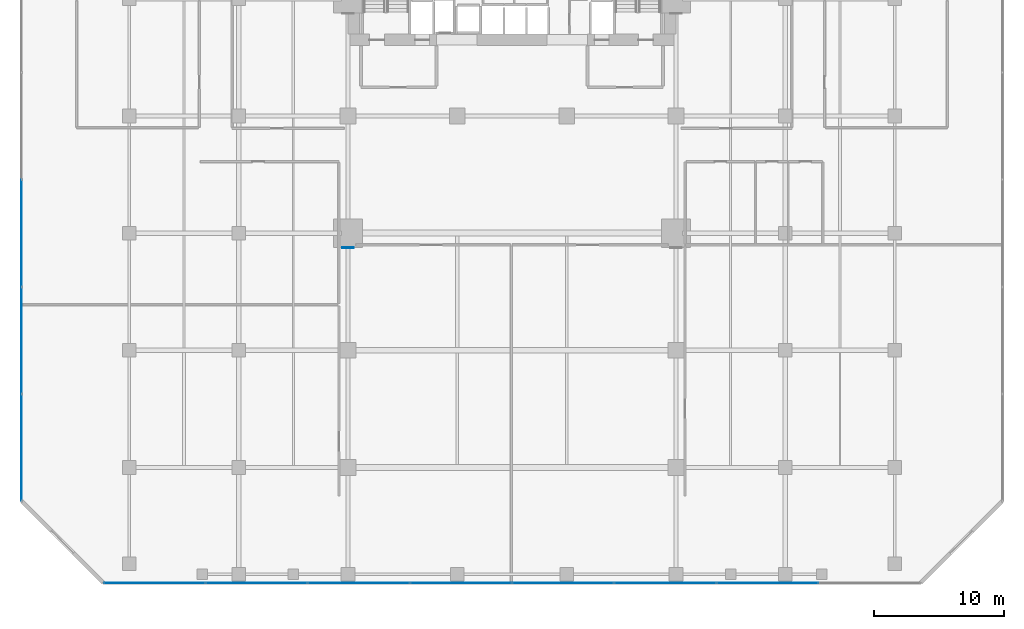
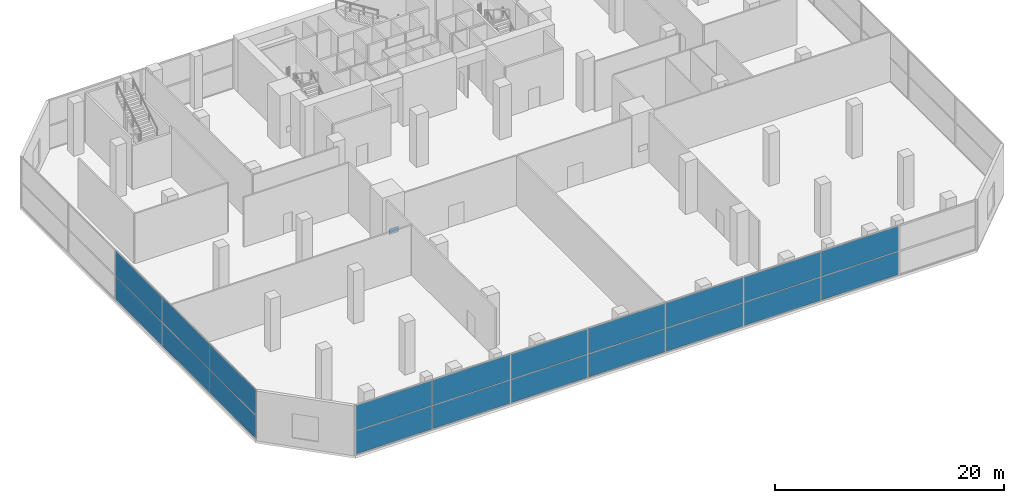
# One storey, part 31 of 40: 21 plates, 2 elements without a shape of their own.
"""IFC4 building model written with IfcOpenShell, lengths in metres."""

from ifc_helpers import new_model, si_unit, direction, frame, origin, origin_2d, place, context, subcontext, project, spatial, rectangle, extrude, material, layer, layer_set, type_object, element, aggregate, save


model = new_model("IFC4")

# Units and contexts
model_context = context("Model", 3, precision=1e-05, world=origin(), true_north=direction((0.0, 1.0)))
body_context = subcontext(model_context, "Body", "Model", "MODEL_VIEW")
ifc_project = project(units=[si_unit("LENGTHUNIT", "METRE"), si_unit("AREAUNIT", "SQUARE_METRE"), si_unit("VOLUMEUNIT", "CUBIC_METRE"), si_unit("PLANEANGLEUNIT", "RADIAN"), si_unit("MASSUNIT", "GRAM", prefix="KILO")], contexts=[model_context])

# Site, building, storey
site_placement = place(None, origin())
site = spatial("IfcSite", under=ifc_project, at=site_placement, CompositionType="ELEMENT")
building_placement = place(site_placement, origin())
building = spatial("IfcBuilding", under=site, at=building_placement, Name="Maruvema Waterfront Hotel and Observation Tower", CompositionType="ELEMENT")
storey_placement = place(building_placement, frame((0.0, 0.0, 10.85009765625)))
storey = spatial("IfcBuildingStorey", under=building, at=storey_placement, Name="L02", CompositionType="ELEMENT", Elevation=10.85009765625)

# Curtain wall, plates
ifc_material_1 = material(Name="Anodised bronze aluminium and solar-control low-E IGU", Category="aluminium")
ifc_layer_1 = layer(ifc_material_1, 0.159912109375, Name="Podium Waterfront Storefront Curtain Wall System CW-01")
ifc_layer_set_1 = layer_set([ifc_layer_1], Name="Anodised bronze aluminium and solar-control low-E IGU")
curtain_wall_type = type_object("IfcCurtainWallType", Name="Podium Waterfront Storefront Curtain Wall System CW-01", PredefinedType="USERDEFINED", material=ifc_layer_set_1)
curtain_wall_1_placement = place(storey_placement, origin())
curtain_wall_1 = element("IfcCurtainWall", 1, at=curtain_wall_1_placement, inside=storey, type_object=curtain_wall_type, Name="L02 Curtain Wall CW-L02-S", ObjectType="UNITISED CURTAIN WALL", PredefinedType="USERDEFINED")
ifc_material_2 = material(Name="Laminated low-E solar-control double glazing", Category="glass")
ifc_layer_2 = layer(ifc_material_2, 0.035888671875, Name="Solar Control Double-Glazed Curtain Panel 36 mm")
ifc_layer_set_2 = layer_set([ifc_layer_2], Name="Laminated low-E solar-control double glazing")
plate_type_1 = type_object("IfcPlateType", Name="Solar Control Double-Glazed Curtain Panel 36 mm", PredefinedType="CURTAIN_PANEL", material=ifc_layer_set_2)
plate_1_placement = place(storey_placement, frame((10.340087890625, 0.1201171875, 0.059814453125), z_axis=(0.0, 0.0, 1.0), x_axis=(1.0, 0.0, 0.0)))
plate_1 = element("IfcPlate", 2, at=plate_1_placement, type_object=plate_type_1, Name="CW-01 panel 1.1", PredefinedType="CURTAIN_PANEL", context=body_context, shape_type="SweptSolid", body=[
    extrude(rectangle(XDim=7.760009765625, YDim=0.028076171875, at=origin_2d()), origin(), (0.0, 0.0, 1.0), 2.4599609375),
])
plate_2_placement = place(storey_placement, frame((10.340087890625, 0.1201171875, 2.580078125), z_axis=(0.0, 0.0, 1.0), x_axis=(1.0, 0.0, 0.0)))
plate_2 = element("IfcPlate", 3, at=plate_2_placement, type_object=plate_type_1, Name="CW-01 panel 1.2", PredefinedType="CURTAIN_PANEL", context=body_context, shape_type="SweptSolid", body=[
    extrude(rectangle(XDim=7.760009765625, YDim=0.028076171875, at=origin_2d()), origin(), (0.0, 0.0, 1.0), 2.679931640625),
])
plate_3_placement = place(storey_placement, frame((18.175048828125, 0.1201171875, 0.059814453125), z_axis=(0.0, 0.0, 1.0), x_axis=(1.0, 0.0, 0.0)))
plate_3 = element("IfcPlate", 4, at=plate_3_placement, type_object=plate_type_1, Name="CW-01 panel 2.1", PredefinedType="CURTAIN_PANEL", context=body_context, shape_type="SweptSolid", body=[
    extrude(rectangle(XDim=7.7900390625, YDim=0.028076171875, at=origin_2d()), origin(), (0.0, 0.0, 1.0), 2.4599609375),
])
plate_4_placement = place(storey_placement, frame((18.175048828125, 0.1201171875, 2.580078125), z_axis=(0.0, 0.0, 1.0), x_axis=(1.0, 0.0, 0.0)))
plate_4 = element("IfcPlate", 5, at=plate_4_placement, type_object=plate_type_1, Name="CW-01 panel 2.2", PredefinedType="CURTAIN_PANEL", context=body_context, shape_type="SweptSolid", body=[
    extrude(rectangle(XDim=7.7900390625, YDim=0.028076171875, at=origin_2d()), origin(), (0.0, 0.0, 1.0), 2.679931640625),
])
plate_5_placement = place(storey_placement, frame((26.02490234375, 0.1201171875, 0.059814453125), z_axis=(0.0, 0.0, 1.0), x_axis=(1.0, 0.0, 0.0)))
plate_5 = element("IfcPlate", 6, at=plate_5_placement, type_object=plate_type_1, Name="CW-01 panel 3.1", PredefinedType="CURTAIN_PANEL", context=body_context, shape_type="SweptSolid", body=[
    extrude(rectangle(XDim=7.7900390625, YDim=0.028076171875, at=origin_2d()), origin(), (0.0, 0.0, 1.0), 2.4599609375),
])
plate_6_placement = place(storey_placement, frame((26.02490234375, 0.1201171875, 2.580078125), z_axis=(0.0, 0.0, 1.0), x_axis=(1.0, 0.0, 0.0)))
plate_6 = element("IfcPlate", 7, at=plate_6_placement, type_object=plate_type_1, Name="CW-01 panel 3.2", PredefinedType="CURTAIN_PANEL", context=body_context, shape_type="SweptSolid", body=[
    extrude(rectangle(XDim=7.7900390625, YDim=0.028076171875, at=origin_2d()), origin(), (0.0, 0.0, 1.0), 2.679931640625),
])
plate_7_placement = place(storey_placement, frame((33.875, 0.1201171875, 0.059814453125), z_axis=(0.0, 0.0, 1.0), x_axis=(1.0, 0.0, 0.0)))
plate_7 = element("IfcPlate", 8, at=plate_7_placement, type_object=plate_type_1, Name="CW-01 panel 4.1", PredefinedType="CURTAIN_PANEL", context=body_context, shape_type="SweptSolid", body=[
    extrude(rectangle(XDim=7.7900390625, YDim=0.028076171875, at=origin_2d()), origin(), (0.0, 0.0, 1.0), 2.4599609375),
])
plate_8_placement = place(storey_placement, frame((33.875, 0.1201171875, 2.580078125), z_axis=(0.0, 0.0, 1.0), x_axis=(1.0, 0.0, 0.0)))
plate_8 = element("IfcPlate", 9, at=plate_8_placement, type_object=plate_type_1, Name="CW-01 panel 4.2", PredefinedType="CURTAIN_PANEL", context=body_context, shape_type="SweptSolid", body=[
    extrude(rectangle(XDim=7.7900390625, YDim=0.028076171875, at=origin_2d()), origin(), (0.0, 0.0, 1.0), 2.679931640625),
])
plate_9_placement = place(storey_placement, frame((41.72509765625, 0.1201171875, 0.059814453125), z_axis=(0.0, 0.0, 1.0), x_axis=(1.0, 0.0, 0.0)))
plate_9 = element("IfcPlate", 10, at=plate_9_placement, type_object=plate_type_1, Name="CW-01 panel 5.1", PredefinedType="CURTAIN_PANEL", context=body_context, shape_type="SweptSolid", body=[
    extrude(rectangle(XDim=7.7900390625, YDim=0.028076171875, at=origin_2d()), origin(), (0.0, 0.0, 1.0), 2.4599609375),
])
plate_10_placement = place(storey_placement, frame((41.72509765625, 0.1201171875, 2.580078125), z_axis=(0.0, 0.0, 1.0), x_axis=(1.0, 0.0, 0.0)))
plate_10 = element("IfcPlate", 11, at=plate_10_placement, type_object=plate_type_1, Name="CW-01 panel 5.2", PredefinedType="CURTAIN_PANEL", context=body_context, shape_type="SweptSolid", body=[
    extrude(rectangle(XDim=7.7900390625, YDim=0.028076171875, at=origin_2d()), origin(), (0.0, 0.0, 1.0), 2.679931640625),
])
plate_11_placement = place(storey_placement, frame((49.574951171875, 0.1201171875, 0.059814453125), z_axis=(0.0, 0.0, 1.0), x_axis=(1.0, 0.0, 0.0)))
plate_11 = element("IfcPlate", 12, at=plate_11_placement, type_object=plate_type_1, Name="CW-01 panel 6.1", PredefinedType="CURTAIN_PANEL", context=body_context, shape_type="SweptSolid", body=[
    extrude(rectangle(XDim=7.7900390625, YDim=0.028076171875, at=origin_2d()), origin(), (0.0, 0.0, 1.0), 2.4599609375),
])
plate_12_placement = place(storey_placement, frame((49.574951171875, 0.1201171875, 2.580078125), z_axis=(0.0, 0.0, 1.0), x_axis=(1.0, 0.0, 0.0)))
plate_12 = element("IfcPlate", 13, at=plate_12_placement, type_object=plate_type_1, Name="CW-01 panel 6.2", PredefinedType="CURTAIN_PANEL", context=body_context, shape_type="SweptSolid", body=[
    extrude(rectangle(XDim=7.7900390625, YDim=0.028076171875, at=origin_2d()), origin(), (0.0, 0.0, 1.0), 2.679931640625),
])
plate_13_placement = place(storey_placement, frame((57.425048828125, 0.1201171875, 0.059814453125), z_axis=(0.0, 0.0, 1.0), x_axis=(1.0, 0.0, 0.0)))
plate_13 = element("IfcPlate", 14, at=plate_13_placement, type_object=plate_type_1, Name="CW-01 panel 7.1", PredefinedType="CURTAIN_PANEL", context=body_context, shape_type="SweptSolid", body=[
    extrude(rectangle(XDim=7.7900390625, YDim=0.028076171875, at=origin_2d()), origin(), (0.0, 0.0, 1.0), 2.4599609375),
])
plate_14_placement = place(storey_placement, frame((57.425048828125, 0.1201171875, 2.580078125), z_axis=(0.0, 0.0, 1.0), x_axis=(1.0, 0.0, 0.0)))
plate_14 = element("IfcPlate", 15, at=plate_14_placement, type_object=plate_type_1, Name="CW-01 panel 7.2", PredefinedType="CURTAIN_PANEL", context=body_context, shape_type="SweptSolid", body=[
    extrude(rectangle(XDim=7.7900390625, YDim=0.028076171875, at=origin_2d()), origin(), (0.0, 0.0, 1.0), 2.679931640625),
])
aggregate(curtain_wall_1, [plate_1, plate_2, plate_3, plate_4, plate_5, plate_6, plate_7, plate_8, plate_9, plate_10, plate_11, plate_12, plate_13, plate_14])

curtain_wall_2_placement = place(storey_placement, origin())
curtain_wall_2 = element("IfcCurtainWall", 16, at=curtain_wall_2_placement, inside=storey, type_object=curtain_wall_type, Name="L02 Curtain Wall CW-L02-W", ObjectType="UNITISED CURTAIN WALL", PredefinedType="USERDEFINED")
plate_15_placement = place(storey_placement, frame((0.1201171875, 27.0, 0.059814453125), z_axis=(0.0, 0.0, 1.0), x_axis=(0.0, -1.0, 0.0)))
plate_15 = element("IfcPlate", 17, at=plate_15_placement, type_object=plate_type_1, Name="CW-01 panel 3.1", PredefinedType="CURTAIN_PANEL", context=body_context, shape_type="SweptSolid", body=[
    extrude(rectangle(XDim=8.179931640625, YDim=0.028076171875, at=origin_2d()), origin(), (0.0, 0.0, 1.0), 2.4599609375),
])
plate_16_placement = place(storey_placement, frame((0.1201171875, 27.0, 2.580078125), z_axis=(0.0, 0.0, 1.0), x_axis=(0.0, -1.0, 0.0)))
plate_16 = element("IfcPlate", 18, at=plate_16_placement, type_object=plate_type_1, Name="CW-01 panel 3.2", PredefinedType="CURTAIN_PANEL", context=body_context, shape_type="SweptSolid", body=[
    extrude(rectangle(XDim=8.179931640625, YDim=0.028076171875, at=origin_2d()), origin(), (0.0, 0.0, 1.0), 2.679931640625),
])
plate_17_placement = place(storey_placement, frame((0.1201171875, 18.760009765625, 0.059814453125), z_axis=(0.0, 0.0, 1.0), x_axis=(0.0, -1.0, 0.0)))
plate_17 = element("IfcPlate", 19, at=plate_17_placement, type_object=plate_type_1, Name="CW-01 panel 4.1", PredefinedType="CURTAIN_PANEL", context=body_context, shape_type="SweptSolid", body=[
    extrude(rectangle(XDim=8.179931640625, YDim=0.028076171875, at=origin_2d()), origin(), (0.0, 0.0, 1.0), 2.4599609375),
])
plate_18_placement = place(storey_placement, frame((0.1201171875, 18.760009765625, 2.580078125), z_axis=(0.0, 0.0, 1.0), x_axis=(0.0, -1.0, 0.0)))
plate_18 = element("IfcPlate", 20, at=plate_18_placement, type_object=plate_type_1, Name="CW-01 panel 4.2", PredefinedType="CURTAIN_PANEL", context=body_context, shape_type="SweptSolid", body=[
    extrude(rectangle(XDim=8.179931640625, YDim=0.028076171875, at=origin_2d()), origin(), (0.0, 0.0, 1.0), 2.679931640625),
])
plate_19_placement = place(storey_placement, frame((0.1201171875, 10.534912109375, 0.059814453125), z_axis=(0.0, 0.0, 1.0), x_axis=(0.0, -1.0, 0.0)))
plate_19 = element("IfcPlate", 21, at=plate_19_placement, type_object=plate_type_1, Name="CW-01 panel 5.1", PredefinedType="CURTAIN_PANEL", context=body_context, shape_type="SweptSolid", body=[
    extrude(rectangle(XDim=8.14990234375, YDim=0.028076171875, at=origin_2d()), origin(), (0.0, 0.0, 1.0), 2.4599609375),
])
plate_20_placement = place(storey_placement, frame((0.1201171875, 10.534912109375, 2.580078125), z_axis=(0.0, 0.0, 1.0), x_axis=(0.0, -1.0, 0.0)))
plate_20 = element("IfcPlate", 22, at=plate_20_placement, type_object=plate_type_1, Name="CW-01 panel 5.2", PredefinedType="CURTAIN_PANEL", context=body_context, shape_type="SweptSolid", body=[
    extrude(rectangle(XDim=8.14990234375, YDim=0.028076171875, at=origin_2d()), origin(), (0.0, 0.0, 1.0), 2.679931640625),
])
aggregate(curtain_wall_2, [plate_15, plate_16, plate_17, plate_18, plate_19, plate_20])

# Plate
ifc_material_3 = material(Name="Steel ABNT NBR 7007 AR 415 (ASTM A572 Grade 50)", Category="steel")
ifc_layer_3 = layer(ifc_material_3, 0.0400390625, Name="Structural Truss Node Gusset Plate 40 mm")
ifc_layer_set_3 = layer_set([ifc_layer_3], Name="Steel ABNT NBR 7007 AR 415 (ASTM A572 Grade 50)")
plate_type_2 = type_object("IfcPlateType", Name="Structural Truss Node Gusset Plate 40 mm", PredefinedType="USERDEFINED", material=ifc_layer_set_3)
plate_21_placement = place(storey_placement, frame((25.199951171875, 25.8798828125, 1.499755859375), z_axis=(0.0, 0.0, 1.0), x_axis=(1.0, 0.0, 0.0)))
element("IfcPlate", 23, at=plate_21_placement, inside=storey, type_object=plate_type_2, Name="L02 MC-01 Moment Frame Continuity Gusset Plate", ObjectType="GUSSET_PLATE", PredefinedType="USERDEFINED", context=body_context, shape_type="SweptSolid", body=[
    extrude(rectangle(XDim=0.89990234375, YDim=0.0400390625, at=origin_2d()), origin(), (0.0, 0.0, 1.0), 0.60009765625),
])

save(model, "model.ifc")
